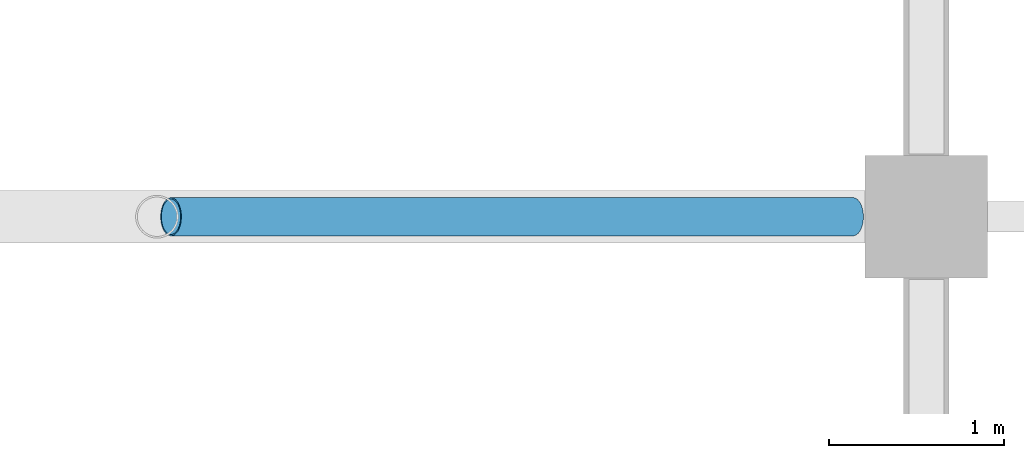
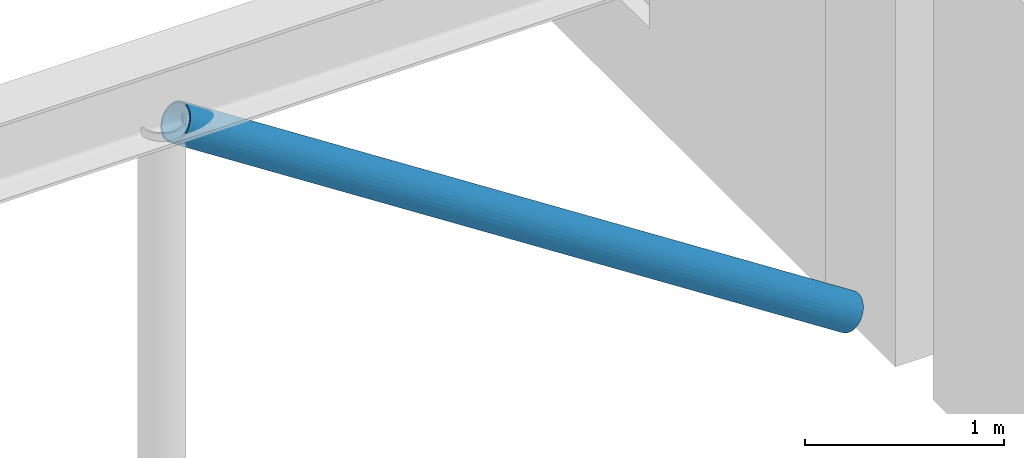
# One storey, part 29 of 128: 1 member.
"""IFC4 building model written with IfcOpenShell, lengths in metres."""

from ifc_helpers import new_model, si_unit, derived_unit, direction, frame, origin, origin_2d, place, context, subcontext, project, spatial, hollow_circle, extrude, material, material_profile, profile_set, type_object, element, save


model = new_model("IFC4")

# Units and contexts
model_context = context("Model", 3, precision=1e-05, world=origin(), true_north=direction((0.0, 1.0)))
body_context = subcontext(model_context, "Body", "Model", "MODEL_VIEW")
ifc_project = project(units=[si_unit("LENGTHUNIT", "METRE"), si_unit("AREAUNIT", "SQUARE_METRE"), si_unit("VOLUMEUNIT", "CUBIC_METRE"), si_unit("PLANEANGLEUNIT", "RADIAN"), si_unit("MASSUNIT", "GRAM", prefix="KILO"), derived_unit("THERMALTRANSMITTANCEUNIT", [(si_unit("MASSUNIT", "GRAM", prefix="KILO"), 1), (si_unit("TIMEUNIT", "SECOND"), -3), (si_unit("THERMODYNAMICTEMPERATUREUNIT", "KELVIN"), -1)])], contexts=[model_context])

# Site, building, storey
site_placement = place(None, origin())
site = spatial("IfcSite", under=ifc_project, at=site_placement, CompositionType="ELEMENT")
building_placement = place(site_placement, origin())
building = spatial("IfcBuilding", under=site, at=building_placement, Name="Zhenchuan Archway Interchange", CompositionType="ELEMENT")
storey_placement = place(building_placement, frame((0.0, 0.0, 14.39990234375)))
storey = spatial("IfcBuildingStorey", under=building, at=storey_placement, Name="L03", CompositionType="ELEMENT", Elevation=14.39990234375)

# Member
ifc_material = material(Name="Steel Q355", Category="steel")
ifc_material_profile = material_profile(ifc_material, hollow_circle(Radius=0.109619140625, WallThickness=0.008056640625, at=origin_2d()), Name="CHS 219x8")
ifc_profile_set = profile_set([ifc_material_profile], Name="Steel Q355")
member_type = type_object("IfcMemberType", Name="MB_CHS219", PredefinedType="BRACE", material=ifc_profile_set)
member_placement = place(storey_placement, frame((62.580078125, 64.0, 0.150146484375), z_axis=(-0.838941198119, 0.0, 0.544222074248), x_axis=(0.0, -1.0, 0.0)))
element("IfcMember", 1, at=member_placement, inside=storey, type_object=member_type, Name="ROOF TRUSS concourse arch A4 east spandrel diagonal", PredefinedType="BRACE", context=body_context, shape_type="SweptSolid", body=[
    extrude(hollow_circle(Radius=0.109619140625, WallThickness=0.008056640625, at=origin_2d()), origin(), (0.0, 0.0, 1.0), 4.64892578125),
])

save(model, "model.ifc")
